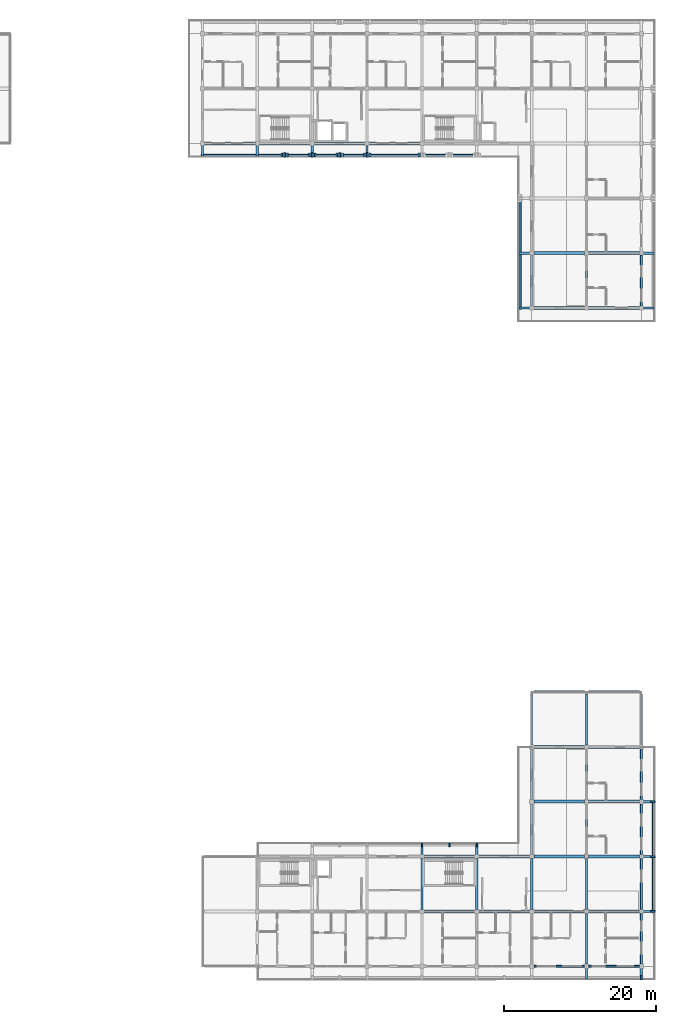
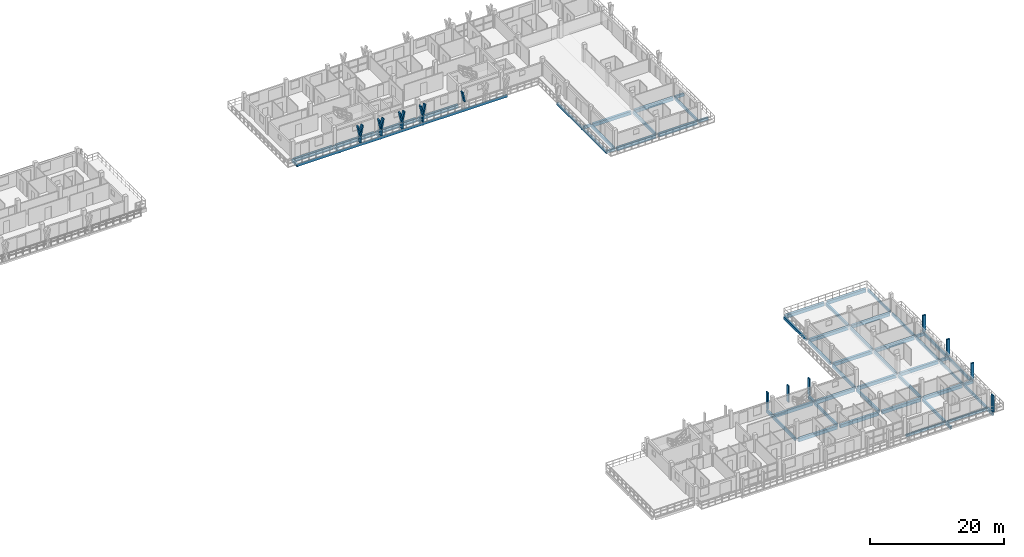
# One storey, part 23 of 65: 61 beams, 20 members.
"""IFC4 building model written with IfcOpenShell, lengths in metres."""

from ifc_helpers import new_model, si_unit, direction, frame, origin, origin_2d, place, context, subcontext, project, spatial, rectangle, extrude, material, material_profile, profile_set, type_object, element, save


model = new_model("IFC4")

# Units and contexts
model_context = context("Model", 3, precision=1e-05, world=origin(), true_north=direction((0.0, 1.0)))
body_context = subcontext(model_context, "Body", "Model", "MODEL_VIEW")
ifc_project = project(units=[si_unit("LENGTHUNIT", "METRE"), si_unit("AREAUNIT", "SQUARE_METRE"), si_unit("VOLUMEUNIT", "CUBIC_METRE"), si_unit("PLANEANGLEUNIT", "RADIAN"), si_unit("MASSUNIT", "GRAM", prefix="KILO")], contexts=[model_context])

# Site, building, storey
site_placement = place(None, origin())
site = spatial("IfcSite", under=ifc_project, at=site_placement, CompositionType="ELEMENT")
building_placement = place(site_placement, origin())
building = spatial("IfcBuilding", under=site, at=building_placement, Name="Suanplinth Sawtooth Commons", CompositionType="ELEMENT")
storey_placement = place(building_placement, frame((0.0, 0.0, 28.300048828125)))
storey = spatial("IfcBuildingStorey", under=building, at=storey_placement, Name="L08", CompositionType="ELEMENT", Elevation=28.300048828125)

# Beams
ifc_material_1 = material(Name="Precast concrete C40/50", Category="concrete")
ifc_material_profile_1 = material_profile(ifc_material_1, rectangle(XDim=0.39990234375, YDim=0.60009765625, at=origin_2d()), Name="PC-GDR 400x600")
ifc_profile_set_1 = profile_set([ifc_material_profile_1], Name="Precast concrete C40/50")
beam_type_1 = type_object("IfcBeamType", Name="B-05", PredefinedType="USERDEFINED", material=ifc_profile_set_1)
beam_1_placement = place(storey_placement, frame((129.875, 108.0, -0.510009765625), z_axis=(1.0, 0.0, 0.0), x_axis=(0.0, 1.0, 0.0)))
element("IfcBeam", 1, at=beam_1_placement, inside=storey, type_object=beam_type_1, Name="BMX-L08-B-18-15", ObjectType="GIRDER", PredefinedType="USERDEFINED", context=body_context, shape_type="SweptSolid", body=[
    extrude(rectangle(XDim=0.39990234375, YDim=0.60009765625, at=origin_2d()), origin(), (0.0, 0.0, 1.0), 6.64990234375),
])
for number, where, z_axis, x_axis, name in (
    (2, (137.074951171875, 108.0, -0.510009765625), (1.0, 0.0, 0.0), (0.0, 1.0, 0.0), "BMX-L08-B-19-15"),
    (3, (144.27490234375, 108.0, -0.510009765625), (1.0, 0.0, 0.0), (0.0, 1.0, 0.0), "BMX-L08-B-20-15"),
):
    element("IfcBeam", number, at=place(storey_placement, frame(where, z_axis=z_axis, x_axis=x_axis)), inside=storey, type_object=beam_type_1, Name=name, ObjectType="GIRDER", PredefinedType="USERDEFINED", context=body_context, shape_type="SweptSolid", body=[
        extrude(rectangle(XDim=0.39990234375, YDim=0.60009765625, at=origin_2d()), origin(), (0.0, 0.0, 1.0), 6.650146484375),
    ])
beam_2_placement = place(storey_placement, frame((151.47509765625, 108.0, -0.510009765625), z_axis=(1.0, 0.0, 0.0), x_axis=(0.0, 1.0, 0.0)))
element("IfcBeam", 4, at=beam_2_placement, inside=storey, type_object=beam_type_1, Name="BMX-L08-B-21-15", ObjectType="GIRDER", PredefinedType="USERDEFINED", context=body_context, shape_type="SweptSolid", body=[
    extrude(rectangle(XDim=0.39990234375, YDim=0.60009765625, at=origin_2d()), origin(), (0.0, 0.0, 1.0), 6.64990234375),
])
for number, where, z_axis, x_axis, name in (
    (5, (173.074951171875, 86.39990234375, -0.510009765625), (1.0, 0.0, 0.0), (0.0, 1.0, 0.0), "BMX-L08-B-24-12"),
    (6, (173.074951171875, 93.60009765625, -0.510009765625), (1.0, 0.0, 0.0), (0.0, 1.0, 0.0), "BMX-L08-B-24-13"),
    (7, (180.27490234375, 86.39990234375, -0.510009765625), (1.0, 0.0, 0.0), (0.0, 1.0, 0.0), "BMX-L08-B-25-12"),
    (8, (180.27490234375, 93.60009765625, -0.510009765625), (1.0, 0.0, 0.0), (0.0, 1.0, 0.0), "BMX-L08-B-25-13"),
):
    element("IfcBeam", number, at=place(storey_placement, frame(where, z_axis=z_axis, x_axis=x_axis)), inside=storey, type_object=beam_type_1, Name=name, ObjectType="GIRDER", PredefinedType="USERDEFINED", context=body_context, shape_type="SweptSolid", body=[
        extrude(rectangle(XDim=0.39990234375, YDim=0.60009765625, at=origin_2d()), origin(), (0.0, 0.0, 1.0), 6.650146484375),
    ])
for number, where, z_axis, x_axis, name in (
    (9, (158.675048828125, 7.199951171875, -0.510009765625), (1.0, 0.0, 0.0), (0.0, 1.0, 0.0), "BMX-L08-C-22-1"),
    (10, (158.675048828125, 14.39990234375, -0.510009765625), (1.0, 0.0, 0.0), (0.0, 1.0, 0.0), "BMX-L08-C-22-2"),
    (11, (165.875, 7.199951171875, -0.510009765625), (1.0, 0.0, 0.0), (0.0, 1.0, 0.0), "BMX-L08-C-23-1"),
    (12, (165.875, 14.39990234375, -0.510009765625), (1.0, 0.0, 0.0), (0.0, 1.0, 0.0), "BMX-L08-C-23-2"),
):
    element("IfcBeam", number, at=place(storey_placement, frame(where, z_axis=z_axis, x_axis=x_axis)), inside=storey, type_object=beam_type_1, Name=name, ObjectType="GIRDER", PredefinedType="USERDEFINED", context=body_context, shape_type="SweptSolid", body=[
        extrude(rectangle(XDim=0.39990234375, YDim=0.60009765625, at=origin_2d()), origin(), (0.0, 0.0, 1.0), 6.64990234375),
    ])
for number, where, z_axis, x_axis, name in (
    (13, (173.074951171875, 7.199951171875, -0.510009765625), (1.0, 0.0, 0.0), (0.0, 1.0, 0.0), "BMX-L08-C-24-1"),
    (14, (173.074951171875, 14.39990234375, -0.510009765625), (1.0, 0.0, 0.0), (0.0, 1.0, 0.0), "BMX-L08-C-24-2"),
    (15, (173.074951171875, 21.60009765625, -0.510009765625), (1.0, 0.0, 0.0), (0.0, 1.0, 0.0), "BMX-L08-C-24-3"),
    (16, (173.074951171875, 28.800048828125, -0.510009765625), (1.0, 0.0, 0.0), (0.0, 1.0, 0.0), "BMX-L08-C-24-4"),
    (17, (173.074951171875, 36.0, -0.510009765625), (1.0, 0.0, 0.0), (0.0, 1.0, 0.0), "BMX-L08-C-24-5"),
    (18, (180.27490234375, 7.199951171875, -0.510009765625), (1.0, 0.0, 0.0), (0.0, 1.0, 0.0), "BMX-L08-C-25-1"),
    (19, (180.27490234375, 14.39990234375, -0.510009765625), (1.0, 0.0, 0.0), (0.0, 1.0, 0.0), "BMX-L08-C-25-2"),
    (20, (180.27490234375, 21.60009765625, -0.510009765625), (1.0, 0.0, 0.0), (0.0, 1.0, 0.0), "BMX-L08-C-25-3"),
    (21, (180.27490234375, 28.800048828125, -0.510009765625), (1.0, 0.0, 0.0), (0.0, 1.0, 0.0), "BMX-L08-C-25-4"),
    (22, (180.27490234375, 36.0, -0.510009765625), (1.0, 0.0, 0.0), (0.0, 1.0, 0.0), "BMX-L08-C-25-5"),
):
    element("IfcBeam", number, at=place(storey_placement, frame(where, z_axis=z_axis, x_axis=x_axis)), inside=storey, type_object=beam_type_1, Name=name, ObjectType="GIRDER", PredefinedType="USERDEFINED", context=body_context, shape_type="SweptSolid", body=[
        extrude(rectangle(XDim=0.39990234375, YDim=0.60009765625, at=origin_2d()), origin(), (0.0, 0.0, 1.0), 6.650146484375),
    ])
ifc_material_profile_2 = material_profile(ifc_material_1, rectangle(XDim=0.300048828125, YDim=0.5, at=origin_2d()), Name="PC-BM 300x500")
ifc_profile_set_2 = profile_set([ifc_material_profile_2], Name="Precast concrete C40/50")
beam_type_2 = type_object("IfcBeamType", Name="B-07", PredefinedType="BEAM", material=ifc_profile_set_2)
for number, where, z_axis, x_axis, name in (
    (23, (172.800048828125, 86.675048828125, -0.4599609375), (0.0, 1.0, 0.0), (-1.0, 0.0, 0.0), "BMY-L08-B-24-12"),
    (24, (180.0, 86.675048828125, -0.4599609375), (0.0, 1.0, 0.0), (-1.0, 0.0, 0.0), "BMY-L08-B-25-12"),
    (25, (158.39990234375, 7.47509765625, -0.4599609375), (0.0, 1.0, 0.0), (-1.0, 0.0, 0.0), "BMY-L08-C-22-1"),
    (26, (165.60009765625, 7.47509765625, -0.4599609375), (0.0, 1.0, 0.0), (-1.0, 0.0, 0.0), "BMY-L08-C-23-1"),
    (27, (172.800048828125, 7.47509765625, -0.4599609375), (0.0, 1.0, 0.0), (-1.0, 0.0, 0.0), "BMY-L08-C-24-1"),
    (28, (172.800048828125, 14.675048828125, -0.4599609375), (0.0, 1.0, 0.0), (-1.0, 0.0, 0.0), "BMY-L08-C-24-2"),
    (29, (172.800048828125, 21.875, -0.4599609375), (0.0, 1.0, 0.0), (-1.0, 0.0, 0.0), "BMY-L08-C-24-3"),
):
    element("IfcBeam", number, at=place(storey_placement, frame(where, z_axis=z_axis, x_axis=x_axis)), inside=storey, type_object=beam_type_2, Name=name, PredefinedType="BEAM", context=body_context, shape_type="SweptSolid", body=[
        extrude(rectangle(XDim=0.300048828125, YDim=0.5, at=origin_2d()), origin(), (0.0, 0.0, 1.0), 6.64990234375),
    ])
for number, where, z_axis, x_axis, name in (
    (30, (172.800048828125, 29.074951171875, -0.4599609375), (0.0, 1.0, 0.0), (-1.0, 0.0, 0.0), "BMY-L08-C-24-4"),
    (31, (180.0, 0.27490234375, -0.4599609375), (0.0, 1.0, 0.0), (-1.0, 0.0, 0.0), "BMY-L08-C-25-0"),
):
    element("IfcBeam", number, at=place(storey_placement, frame(where, z_axis=z_axis, x_axis=x_axis)), inside=storey, type_object=beam_type_2, Name=name, PredefinedType="BEAM", context=body_context, shape_type="SweptSolid", body=[
        extrude(rectangle(XDim=0.300048828125, YDim=0.5, at=origin_2d()), origin(), (0.0, 0.0, 1.0), 6.650146484375),
    ])
for number, where, z_axis, x_axis, name in (
    (32, (180.0, 7.47509765625, -0.4599609375), (0.0, 1.0, 0.0), (-1.0, 0.0, 0.0), "BMY-L08-C-25-1"),
    (33, (180.0, 14.675048828125, -0.4599609375), (0.0, 1.0, 0.0), (-1.0, 0.0, 0.0), "BMY-L08-C-25-2"),
    (34, (180.0, 21.875, -0.4599609375), (0.0, 1.0, 0.0), (-1.0, 0.0, 0.0), "BMY-L08-C-25-3"),
):
    element("IfcBeam", number, at=place(storey_placement, frame(where, z_axis=z_axis, x_axis=x_axis)), inside=storey, type_object=beam_type_2, Name=name, PredefinedType="BEAM", context=body_context, shape_type="SweptSolid", body=[
        extrude(rectangle(XDim=0.300048828125, YDim=0.5, at=origin_2d()), origin(), (0.0, 0.0, 1.0), 6.64990234375),
    ])
beam_3_placement = place(storey_placement, frame((180.0, 29.074951171875, -0.4599609375), z_axis=(0.0, 1.0, 0.0), x_axis=(-1.0, 0.0, 0.0)))
element("IfcBeam", 35, at=beam_3_placement, inside=storey, type_object=beam_type_2, Name="BMY-L08-C-25-4", PredefinedType="BEAM", context=body_context, shape_type="SweptSolid", body=[
    extrude(rectangle(XDim=0.300048828125, YDim=0.5, at=origin_2d()), origin(), (0.0, 0.0, 1.0), 6.650146484375),
])
for number, where, z_axis, x_axis, name in (
    (36, (187.199951171875, 86.39990234375, -0.429931640625), (1.0, 0.0, 0.0), (0.0, 1.0, 0.0), "Balcony Outrigger L08-B-E-12"),
    (37, (187.199951171875, 93.60009765625, -0.429931640625), (1.0, 0.0, 0.0), (0.0, 1.0, 0.0), "Balcony Outrigger L08-B-E-13"),
):
    element("IfcBeam", number, at=place(storey_placement, frame(where, z_axis=z_axis, x_axis=x_axis)), inside=storey, type_object=beam_type_2, Name=name, PredefinedType="BEAM", context=body_context, shape_type="SweptSolid", body=[
        extrude(rectangle(XDim=0.300048828125, YDim=0.5, at=origin_2d()), origin(), (0.0, 0.0, 1.0), 1.64013671875),
    ])
for number, where, z_axis, x_axis, name in (
    (38, (129.60009765625, 108.0, -0.425048828125), (0.0, -1.0, 0.0), (1.0, 0.0, 0.0), "Balcony Outrigger L08-B-SC-18"),
    (39, (136.800048828125, 108.0, -0.425048828125), (0.0, -1.0, 0.0), (1.0, 0.0, 0.0), "Balcony Outrigger L08-B-SC-19"),
    (40, (144.0, 108.0, -0.425048828125), (0.0, -1.0, 0.0), (1.0, 0.0, 0.0), "Balcony Outrigger L08-B-SC-20"),
    (41, (151.199951171875, 108.0, -0.425048828125), (0.0, -1.0, 0.0), (1.0, 0.0, 0.0), "Balcony Outrigger L08-B-SC-21"),
):
    element("IfcBeam", number, at=place(storey_placement, frame(where, z_axis=z_axis, x_axis=x_axis)), inside=storey, type_object=beam_type_2, Name=name, PredefinedType="BEAM", context=body_context, shape_type="SweptSolid", body=[
        extrude(rectangle(XDim=0.300048828125, YDim=0.5, at=origin_2d()), origin(), (0.0, 0.0, 1.0), 1.639892578125),
    ])
for number, where, z_axis, x_axis, name in (
    (42, (172.800048828125, 86.39990234375, -0.425048828125), (-1.0, 0.0, 0.0), (0.0, -1.0, 0.0), "Balcony Outrigger L08-B-WC-12"),
    (43, (172.800048828125, 93.60009765625, -0.425048828125), (-1.0, 0.0, 0.0), (0.0, -1.0, 0.0), "Balcony Outrigger L08-B-WC-13"),
):
    element("IfcBeam", number, at=place(storey_placement, frame(where, z_axis=z_axis, x_axis=x_axis)), inside=storey, type_object=beam_type_2, Name=name, PredefinedType="BEAM", context=body_context, shape_type="SweptSolid", body=[
        extrude(rectangle(XDim=0.300048828125, YDim=0.5, at=origin_2d()), origin(), (0.0, 0.0, 1.0), 1.64013671875),
    ])
for number, where, z_axis, x_axis, name in (
    (44, (180.0, 0.0, -0.429931640625), (0.0, -1.0, 0.0), (1.0, 0.0, 0.0), "Balcony Outrigger L08-C-S-25"),
    (45, (187.199951171875, 0.0, -0.429931640625), (0.0, -1.0, 0.0), (1.0, 0.0, 0.0), "Balcony Outrigger L08-C-S-26"),
):
    element("IfcBeam", number, at=place(storey_placement, frame(where, z_axis=z_axis, x_axis=x_axis)), inside=storey, type_object=beam_type_2, Name=name, PredefinedType="BEAM", context=body_context, shape_type="SweptSolid", body=[
        extrude(rectangle(XDim=0.300048828125, YDim=0.5, at=origin_2d()), origin(), (0.0, 0.0, 1.0), 1.639892578125),
    ])
for number, where, z_axis, x_axis, name in (
    (46, (187.199951171875, 7.199951171875, -0.429931640625), (1.0, 0.0, 0.0), (0.0, 1.0, 0.0), "Balcony Outrigger L08-C-E-1"),
    (47, (187.199951171875, 14.39990234375, -0.429931640625), (1.0, 0.0, 0.0), (0.0, 1.0, 0.0), "Balcony Outrigger L08-C-E-2"),
    (48, (187.199951171875, 21.60009765625, -0.429931640625), (1.0, 0.0, 0.0), (0.0, 1.0, 0.0), "Balcony Outrigger L08-C-E-3"),
    (49, (158.39990234375, 14.39990234375, -0.425048828125), (0.0, 1.0, 0.0), (-1.0, 0.0, 0.0), "Balcony Outrigger L08-C-NC-22"),
    (50, (165.60009765625, 14.39990234375, -0.425048828125), (0.0, 1.0, 0.0), (-1.0, 0.0, 0.0), "Balcony Outrigger L08-C-NC-23"),
):
    element("IfcBeam", number, at=place(storey_placement, frame(where, z_axis=z_axis, x_axis=x_axis)), inside=storey, type_object=beam_type_2, Name=name, PredefinedType="BEAM", context=body_context, shape_type="SweptSolid", body=[
        extrude(rectangle(XDim=0.300048828125, YDim=0.5, at=origin_2d()), origin(), (0.0, 0.0, 1.0), 1.64013671875),
    ])
ifc_material_profile_3 = material_profile(ifc_material_1, rectangle(XDim=0.25, YDim=0.449951171875, at=origin_2d()), Name="PC-SP 250x450")
ifc_profile_set_3 = profile_set([ifc_material_profile_3], Name="Precast concrete C40/50")
beam_type_3 = type_object("IfcBeamType", Name="B-09", PredefinedType="SPANDREL", material=ifc_profile_set_3)
beam_4_placement = place(storey_placement, frame((187.199951171875, 86.675048828125, -0.43505859375), z_axis=(0.0, 1.0, 0.0), x_axis=(-1.0, 0.0, 0.0)))
element("IfcBeam", 51, at=beam_4_placement, inside=storey, type_object=beam_type_3, Name="BMY-L08-B-26-12", PredefinedType="SPANDREL", context=body_context, shape_type="SweptSolid", body=[
    extrude(rectangle(XDim=0.25, YDim=0.449951171875, at=origin_2d()), origin(), (0.0, 0.0, 1.0), 6.64990234375),
])
for number, where, z_axis, x_axis, name in (
    (52, (173.074951171875, 0.0, -0.43505859375), (1.0, 0.0, 0.0), (0.0, 1.0, 0.0), "BMX-L08-C-24-0"),
    (53, (180.27490234375, 0.0, -0.43505859375), (1.0, 0.0, 0.0), (0.0, 1.0, 0.0), "BMX-L08-C-25-0"),
    (54, (187.199951171875, 0.27490234375, -0.43505859375), (0.0, 1.0, 0.0), (-1.0, 0.0, 0.0), "BMY-L08-C-26-0"),
):
    element("IfcBeam", number, at=place(storey_placement, frame(where, z_axis=z_axis, x_axis=x_axis)), inside=storey, type_object=beam_type_3, Name=name, PredefinedType="SPANDREL", context=body_context, shape_type="SweptSolid", body=[
        extrude(rectangle(XDim=0.25, YDim=0.449951171875, at=origin_2d()), origin(), (0.0, 0.0, 1.0), 6.650146484375),
    ])
for number, where, z_axis, x_axis, name in (
    (55, (187.199951171875, 7.47509765625, -0.43505859375), (0.0, 1.0, 0.0), (-1.0, 0.0, 0.0), "BMY-L08-C-26-1"),
    (56, (187.199951171875, 14.675048828125, -0.43505859375), (0.0, 1.0, 0.0), (-1.0, 0.0, 0.0), "BMY-L08-C-26-2"),
    (57, (187.199951171875, 21.875, -0.43505859375), (0.0, 1.0, 0.0), (-1.0, 0.0, 0.0), "BMY-L08-C-26-3"),
):
    element("IfcBeam", number, at=place(storey_placement, frame(where, z_axis=z_axis, x_axis=x_axis)), inside=storey, type_object=beam_type_3, Name=name, PredefinedType="SPANDREL", context=body_context, shape_type="SweptSolid", body=[
        extrude(rectangle(XDim=0.25, YDim=0.449951171875, at=origin_2d()), origin(), (0.0, 0.0, 1.0), 6.64990234375),
    ])
beam_5_placement = place(storey_placement, frame((187.199951171875, 29.074951171875, -0.43505859375), z_axis=(0.0, 1.0, 0.0), x_axis=(-1.0, 0.0, 0.0)))
element("IfcBeam", 58, at=beam_5_placement, inside=storey, type_object=beam_type_3, Name="BMY-L08-C-26-4", PredefinedType="SPANDREL", context=body_context, shape_type="SweptSolid", body=[
    extrude(rectangle(XDim=0.25, YDim=0.449951171875, at=origin_2d()), origin(), (0.0, 0.0, 1.0), 6.650146484375),
])
beam_6_placement = place(storey_placement, frame((129.449951171875, 106.47998046875, -0.400146484375), z_axis=(1.0, 0.0, 0.0), x_axis=(0.0, 1.0, 0.0)))
element("IfcBeam", 59, at=beam_6_placement, inside=storey, type_object=beam_type_3, Name="Balcony Edge Fascia L08-B-SC", PredefinedType="SPANDREL", context=body_context, shape_type="SweptSolid", body=[
    extrude(rectangle(XDim=0.25, YDim=0.449951171875, at=origin_2d()), origin(), (0.0, 0.0, 1.0), 36.300048828125),
])
for number, where, z_axis, x_axis, name in (
    (60, (171.280029296875, 86.25, -0.400146484375), (0.0, 1.0, 0.0), (-1.0, 0.0, 0.0), "Balcony Edge Fascia L08-B-WC"),
    (61, (188.719970703125, 7.050048828125, -0.405029296875), (0.0, 1.0, 0.0), (-1.0, 0.0, 0.0), "Balcony Edge Fascia L08-C-E"),
):
    element("IfcBeam", number, at=place(storey_placement, frame(where, z_axis=z_axis, x_axis=x_axis)), inside=storey, type_object=beam_type_3, Name=name, PredefinedType="SPANDREL", context=body_context, shape_type="SweptSolid", body=[
        extrude(rectangle(XDim=0.25, YDim=0.449951171875, at=origin_2d()), origin(), (0.0, 0.0, 1.0), 14.699951171875),
    ])

# Members
ifc_material_2 = material(Name="Pigmented precast concrete C40/50", Category="concrete")
ifc_material_profile_4 = material_profile(ifc_material_2, rectangle(XDim=0.260009765625, YDim=0.550048828125, at=origin_2d()), Name="PC-FIN 260x550")
ifc_profile_set_4 = profile_set([ifc_material_profile_4], Name="Pigmented precast concrete C40/50")
member_type_1 = type_object("IfcMemberType", Name="M-09", PredefinedType="USERDEFINED", material=ifc_profile_set_4)
for number, where, z_axis, x_axis, name in (
    (62, (140.39990234375, 106.47998046875, 0.0), (0.0, 0.0, 1.0), (1.0, 0.0, 0.0), "Y-Blade Stem L08-B-SC-10"),
    (63, (144.0, 106.47998046875, 0.0), (0.0, 0.0, 1.0), (1.0, 0.0, 0.0), "Y-Blade Stem L08-B-SC-11"),
    (64, (147.60009765625, 106.47998046875, 0.0), (0.0, 0.0, 1.0), (1.0, 0.0, 0.0), "Y-Blade Stem L08-B-SC-12"),
    (65, (151.199951171875, 106.47998046875, 0.0), (0.0, 0.0, 1.0), (1.0, 0.0, 0.0), "Y-Blade Stem L08-B-SC-13"),
):
    element("IfcMember", number, at=place(storey_placement, frame(where, z_axis=z_axis, x_axis=x_axis)), inside=storey, type_object=member_type_1, Name=name, ObjectType="SHADING FIN", PredefinedType="USERDEFINED", context=body_context, shape_type="SweptSolid", body=[
        extrude(rectangle(XDim=0.260009765625, YDim=0.550048828125, at=origin_2d()), origin(), (0.0, 0.0, 1.0), 1.169921875),
    ])
ifc_material_profile_5 = material_profile(ifc_material_2, rectangle(XDim=0.219970703125, YDim=0.550048828125, at=origin_2d()), Name="PC-FIN 220x550")
ifc_profile_set_5 = profile_set([ifc_material_profile_5], Name="Pigmented precast concrete C40/50")
member_type_2 = type_object("IfcMemberType", Name="M-10", PredefinedType="USERDEFINED", material=ifc_profile_set_5)
member_1_placement = place(storey_placement, frame((140.39990234375, 106.47998046875, 1.1298828125), z_axis=(-0.196285728346, 0.0, 0.980546741796), x_axis=(0.980546741796, 0.0, 0.196285728346)))
element("IfcMember", 66, at=member_1_placement, inside=storey, type_object=member_type_2, Name="Y-Blade Arm L L08-B-SC-10", ObjectType="SHADING FIN", PredefinedType="USERDEFINED", context=body_context, shape_type="SweptSolid", body=[
    extrude(rectangle(XDim=0.219970703125, YDim=0.550048828125, at=origin_2d()), origin(), (0.0, 0.0, 1.0), 1.937744140625),
])
for number, where, z_axis, x_axis, name in (
    (67, (140.39990234375, 106.47998046875, 1.1298828125), (0.196406855569, 0.0, 0.980522486782), (-0.980522486782, 0.0, 0.196406855569), "Y-Blade Arm R L08-B-SC-10"),
    (68, (144.0, 106.47998046875, 1.1298828125), (-0.196406855569, 0.0, 0.980522486782), (0.980522486782, 0.0, 0.196406855569), "Y-Blade Arm L L08-B-SC-11"),
    (69, (144.0, 106.47998046875, 1.1298828125), (0.196406855569, 0.0, 0.980522486782), (-0.980522486782, 0.0, 0.196406855569), "Y-Blade Arm R L08-B-SC-11"),
    (70, (147.60009765625, 106.47998046875, 1.1298828125), (-0.196406855569, 0.0, 0.980522486782), (0.980522486782, 0.0, 0.196406855569), "Y-Blade Arm L L08-B-SC-12"),
):
    element("IfcMember", number, at=place(storey_placement, frame(where, z_axis=z_axis, x_axis=x_axis)), inside=storey, type_object=member_type_2, Name=name, ObjectType="SHADING FIN", PredefinedType="USERDEFINED", context=body_context, shape_type="SweptSolid", body=[
        extrude(rectangle(XDim=0.219970703125, YDim=0.550048828125, at=origin_2d()), origin(), (0.0, 0.0, 1.0), 1.93798828125),
    ])
for number, where, z_axis, x_axis, name in (
    (71, (147.60009765625, 106.47998046875, 1.1298828125), (0.196285728346, 0.0, 0.980546741796), (-0.980546741796, 0.0, 0.196285728346), "Y-Blade Arm R L08-B-SC-12"),
    (72, (151.199951171875, 106.47998046875, 1.1298828125), (-0.196285728346, 0.0, 0.980546741796), (0.980546741796, 0.0, 0.196285728346), "Y-Blade Arm L L08-B-SC-13"),
):
    element("IfcMember", number, at=place(storey_placement, frame(where, z_axis=z_axis, x_axis=x_axis)), inside=storey, type_object=member_type_2, Name=name, ObjectType="SHADING FIN", PredefinedType="USERDEFINED", context=body_context, shape_type="SweptSolid", body=[
        extrude(rectangle(XDim=0.219970703125, YDim=0.550048828125, at=origin_2d()), origin(), (0.0, 0.0, 1.0), 1.937744140625),
    ])
member_2_placement = place(storey_placement, frame((151.199951171875, 106.47998046875, 1.1298828125), z_axis=(0.196406855569, 0.0, 0.980522486782), x_axis=(-0.980522486782, 0.0, 0.196406855569)))
element("IfcMember", 73, at=member_2_placement, inside=storey, type_object=member_type_2, Name="Y-Blade Arm R L08-B-SC-13", ObjectType="SHADING FIN", PredefinedType="USERDEFINED", context=body_context, shape_type="SweptSolid", body=[
    extrude(rectangle(XDim=0.219970703125, YDim=0.550048828125, at=origin_2d()), origin(), (0.0, 0.0, 1.0), 1.93798828125),
])
member_3_placement = place(storey_placement, frame((158.39990234375, 106.47998046875, 1.1298828125), z_axis=(-0.196285728346, 0.0, 0.980546741796), x_axis=(0.980546741796, 0.0, 0.196285728346)))
element("IfcMember", 74, at=member_3_placement, inside=storey, type_object=member_type_2, Name="Y-Blade Arm L L08-B-SC-14", ObjectType="SHADING FIN", PredefinedType="USERDEFINED", context=body_context, shape_type="SweptSolid", body=[
    extrude(rectangle(XDim=0.219970703125, YDim=0.550048828125, at=origin_2d()), origin(), (0.0, 0.0, 1.0), 1.937744140625),
])
ifc_material_profile_6 = material_profile(ifc_material_2, rectangle(XDim=0.25, YDim=0.5400390625, at=origin_2d()), Name="PC-FIN 250x540")
ifc_profile_set_6 = profile_set([ifc_material_profile_6], Name="Pigmented precast concrete C40/50")
member_type_3 = type_object("IfcMemberType", Name="M-11", PredefinedType="USERDEFINED", material=ifc_profile_set_6)
for number, where, z_axis, x_axis, name in (
    (75, (187.199951171875, -1.52001953125, 0.0), (0.0, 0.0, 1.0), (1.0, 0.0, 0.0), "Upright Solar Blade L08-C-S-08"),
    (76, (188.719970703125, 7.199951171875, 0.0), (0.0, 0.0, 1.0), (0.0, 1.0, 0.0), "Upright Solar Blade L08-C-E-09"),
    (77, (188.719970703125, 14.39990234375, 0.0), (0.0, 0.0, 1.0), (0.0, 1.0, 0.0), "Upright Solar Blade L08-C-E-10"),
    (78, (188.719970703125, 21.60009765625, 0.0), (0.0, 0.0, 1.0), (0.0, 1.0, 0.0), "Upright Solar Blade L08-C-E-11"),
):
    element("IfcMember", number, at=place(storey_placement, frame(where, z_axis=z_axis, x_axis=x_axis)), inside=storey, type_object=member_type_3, Name=name, ObjectType="SHADING FIN", PredefinedType="USERDEFINED", context=body_context, shape_type="SweptSolid", body=[
        extrude(rectangle(XDim=0.25, YDim=0.5400390625, at=origin_2d()), origin(), (0.0, 0.0, 1.0), 3.030029296875),
    ])
ifc_material_profile_7 = material_profile(ifc_material_2, rectangle(XDim=0.2099609375, YDim=0.52001953125, at=origin_2d()), Name="PC-FIN 210x520")
ifc_profile_set_7 = profile_set([ifc_material_profile_7], Name="Pigmented precast concrete C40/50")
member_type_4 = type_object("IfcMemberType", Name="M-12", PredefinedType="USERDEFINED", material=ifc_profile_set_7)
for number, where, z_axis, x_axis, name in (
    (79, (158.39990234375, 15.919921875, 0.0), (0.0, 0.0, 1.0), (1.0, 0.0, 0.0), "Upright Solar Blade L08-C-NC-15"),
    (80, (162.0, 15.919921875, 0.0), (0.0, 0.0, 1.0), (1.0, 0.0, 0.0), "Upright Solar Blade L08-C-NC-16"),
    (81, (165.60009765625, 15.919921875, 0.0), (0.0, 0.0, 1.0), (1.0, 0.0, 0.0), "Upright Solar Blade L08-C-NC-17"),
):
    element("IfcMember", number, at=place(storey_placement, frame(where, z_axis=z_axis, x_axis=x_axis)), inside=storey, type_object=member_type_4, Name=name, ObjectType="SHADING FIN", PredefinedType="USERDEFINED", context=body_context, shape_type="SweptSolid", body=[
        extrude(rectangle(XDim=0.2099609375, YDim=0.52001953125, at=origin_2d()), origin(), (0.0, 0.0, 1.0), 3.030029296875),
    ])

save(model, "model.ifc")
